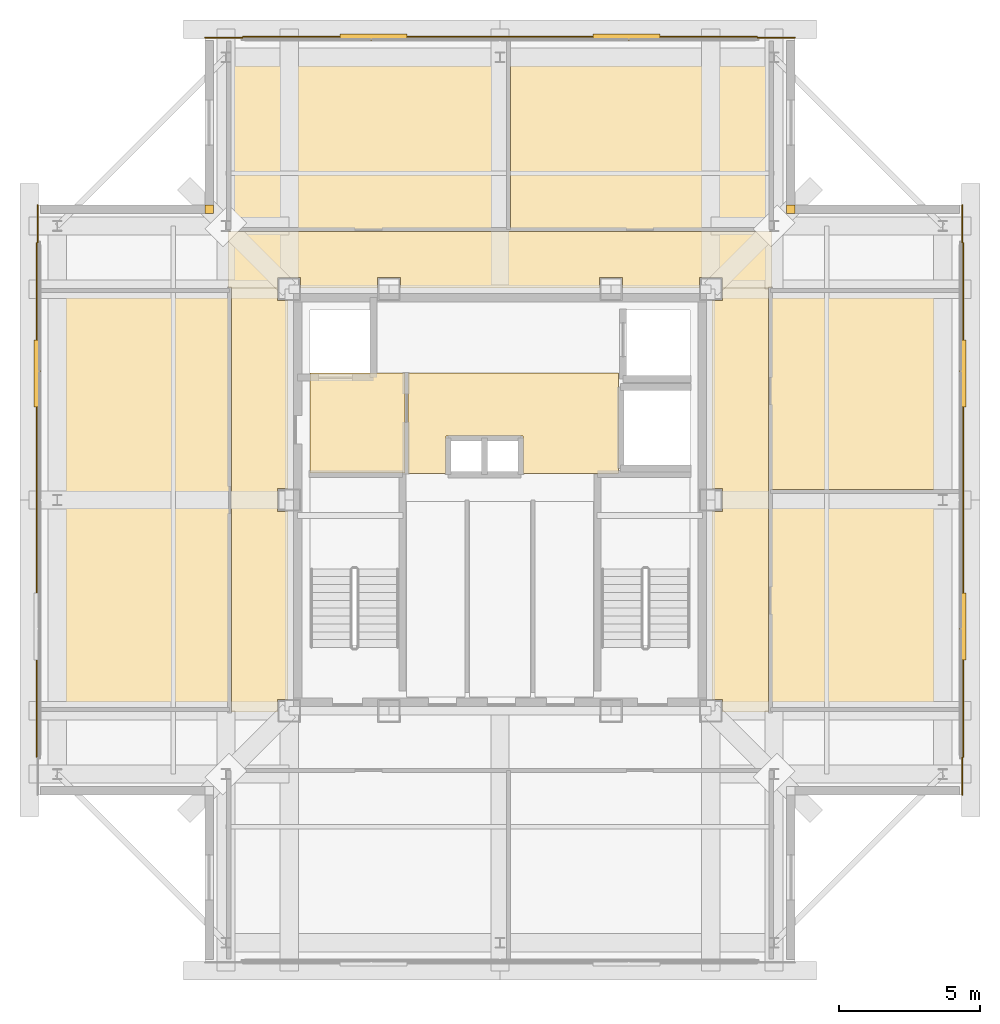
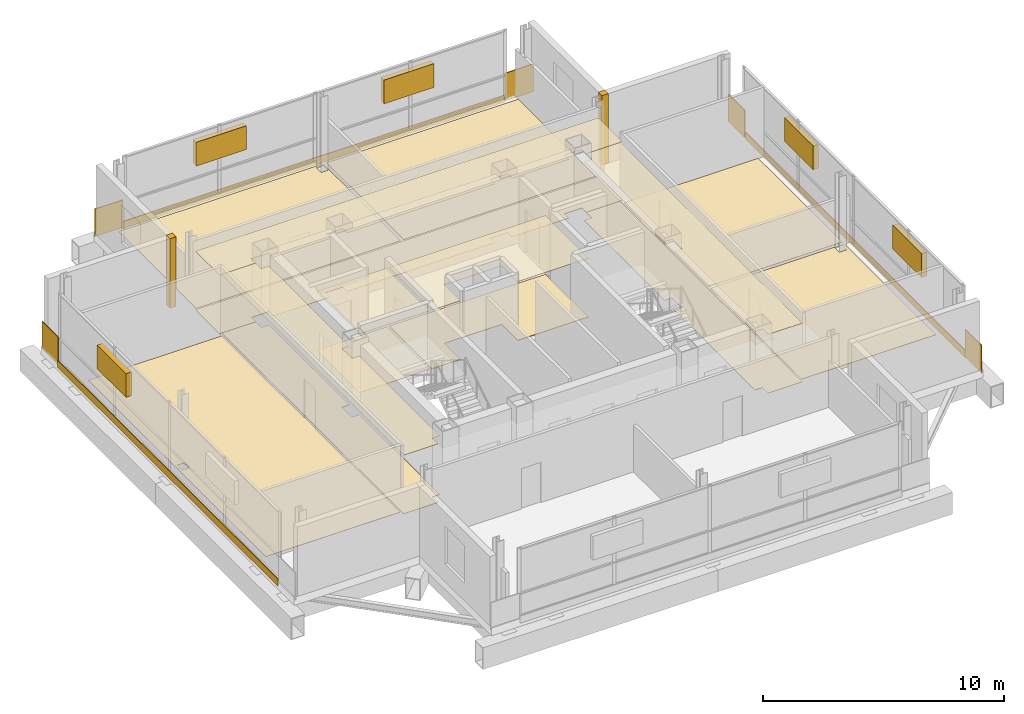
# One storey, part 12 of 12: 25 coverings, 5 shading devices.
"""IFC4 building model written with IfcOpenShell, lengths in metres."""

from ifc_helpers import new_model, si_unit, direction, frame, frame_2d, origin, origin_2d, place, context, subcontext, project, spatial, polyline, rectangle, outline, extrude, material, layer, layer_set, type_object, element, save


model = new_model("IFC4")

# Units and contexts
model_context = context("Model", 3, precision=1e-05, world=origin(), true_north=direction((0.0, 1.0)))
body_context = subcontext(model_context, "Body", "Model", "MODEL_VIEW")
ifc_project = project(units=[si_unit("LENGTHUNIT", "METRE"), si_unit("AREAUNIT", "SQUARE_METRE"), si_unit("VOLUMEUNIT", "CUBIC_METRE"), si_unit("PLANEANGLEUNIT", "RADIAN"), si_unit("MASSUNIT", "GRAM", prefix="KILO")], contexts=[model_context])

# Site, building, storey
site_placement = place(None, origin())
site = spatial("IfcSite", under=ifc_project, at=site_placement, CompositionType="ELEMENT")
building_placement = place(site_placement, origin())
building = spatial("IfcBuilding", under=site, at=building_placement, Name="Trevonay Congress Spire", CompositionType="ELEMENT")
storey_placement = place(building_placement, frame((0.0, 0.0, 308.39990234375)))
storey = spatial("IfcBuildingStorey", under=building, at=storey_placement, Name="L81", CompositionType="ELEMENT", Elevation=308.39990234375)

# Coverings
ifc_material_1 = material(Name="Acoustic Mineral Fibre Board", Category="gypsum")
ifc_layer_1 = layer(ifc_material_1, 0.02490234375, Name="Acoustic Mineral Fibre Board")
ifc_layer_set_1 = layer_set([ifc_layer_1], Name="Acoustic Mineral Fibre Board")
covering_type_1 = type_object("IfcCoveringType", Name="COV-CEIL-ACOUSTIC", PredefinedType="CEILING", material=ifc_layer_set_1)
covering_1_placement = place(storey_placement, frame((0.0, 0.0, 2.97021484375)))
element("IfcCovering", 1, at=covering_1_placement, inside=storey, type_object=covering_type_1, Name="L81 Firefighting Lift Lobby West acoustic suspended ceiling", PredefinedType="CEILING", context=body_context, shape_type="SweptSolid", body=[
    extrude(outline(polyline([(-6.75, 0.9599609375), (-3.3798828125, 0.9599609375), (-3.3798828125, 4.52001953125), (-6.75, 4.52001953125), (-6.75, 0.9599609375)])), origin(), (0.0, 0.0, 1.0), 0.02490234375),
])
covering_2_placement = place(storey_placement, frame((0.0, 0.0, 2.97021484375)))
element("IfcCovering", 2, at=covering_2_placement, inside=storey, type_object=covering_type_1, Name="L81 Central and High-Rise Passenger Lift Lobby acoustic suspended ceiling", PredefinedType="CEILING", context=body_context, shape_type="SweptSolid", body=[
    extrude(outline(polyline([(-3.280029296875, 0.949951171875), (-1.919921875, 0.949951171875), (-1.919921875, 2.280029296875), (0.820068359375, 2.280029296875), (0.820068359375, 0.949951171875), (4.219970703125, 0.949951171875), (4.219970703125, 4.52001953125), (-3.280029296875, 4.52001953125), (-3.280029296875, 0.949951171875)])), origin(), (0.0, 0.0, 1.0), 0.02490234375),
])
covering_3_placement = place(storey_placement, frame((0.0, 0.0, 2.97021484375)))
element("IfcCovering", 3, at=covering_3_placement, inside=storey, type_object=covering_type_1, Name="L81 Crown Gallery Corridor North acoustic suspended ceiling", PredefinedType="CEILING", context=body_context, shape_type="SweptSolid", body=[
    extrude(outline(polyline([(-9.64990234375, 7.550048828125), (-9.64990234375, 9.54345703125), (-9.570068359375, 9.54345703125), (-9.570068359375, 9.550048828125), (9.570068359375, 9.550048828125), (9.570068359375, 9.54345703125), (9.64990234375, 9.54345703125), (9.64990234375, 7.550048828125), (7.909912109375, 7.550048828125), (7.909912109375, 7.909912109375), (7.090087890625, 7.909912109375), (7.090087890625, 7.550048828125), (4.360107421875, 7.550048828125), (4.360107421875, 7.909912109375), (3.5400390625, 7.909912109375), (3.5400390625, 7.550048828125), (-3.5400390625, 7.550048828125), (-3.5400390625, 7.909912109375), (-4.360107421875, 7.909912109375), (-4.360107421875, 7.550048828125), (-7.090087890625, 7.550048828125), (-7.090087890625, 7.909912109375), (-7.909912109375, 7.909912109375), (-7.909912109375, 7.550048828125), (-9.64990234375, 7.550048828125)])), origin(), (0.0, 0.0, 1.0), 0.02490234375),
])
covering_4_placement = place(storey_placement, frame((0.0, 0.0, 2.97021484375)))
element("IfcCovering", 4, at=covering_4_placement, inside=storey, type_object=covering_type_1, Name="L81 Crown Gallery Corridor West acoustic suspended ceiling", PredefinedType="CEILING", context=body_context, shape_type="SweptSolid", body=[
    extrude(outline(polyline([(-9.550048828125, 7.550048828125), (-7.909912109375, 7.550048828125), (-7.909912109375, 7.090087890625), (-7.550048828125, 7.090087890625), (-7.550048828125, 0.409912109375), (-7.909912109375, 0.409912109375), (-7.909912109375, -0.409912109375), (-7.550048828125, -0.409912109375), (-7.550048828125, -7.090087890625), (-7.909912109375, -7.090087890625), (-7.909912109375, -7.550048828125), (-9.550048828125, -7.550048828125), (-9.550048828125, 7.550048828125)])), origin(), (0.0, 0.0, 1.0), 0.02490234375),
])
covering_5_placement = place(storey_placement, frame((0.0, 0.0, 2.97021484375)))
element("IfcCovering", 5, at=covering_5_placement, inside=storey, type_object=covering_type_1, Name="L81 Crown Gallery Corridor East acoustic suspended ceiling", PredefinedType="CEILING", context=body_context, shape_type="SweptSolid", body=[
    extrude(outline(polyline([(9.550048828125, -7.550048828125), (7.909912109375, -7.550048828125), (7.909912109375, -7.090087890625), (7.550048828125, -7.090087890625), (7.550048828125, -0.409912109375), (7.909912109375, -0.409912109375), (7.909912109375, 0.409912109375), (7.550048828125, 0.409912109375), (7.550048828125, 7.090087890625), (7.909912109375, 7.090087890625), (7.909912109375, 7.550048828125), (9.550048828125, 7.550048828125), (9.550048828125, -7.550048828125)])), origin(), (0.0, 0.0, 1.0), 0.02490234375),
])
ifc_material_2 = material(Name="Polished Granite Floor Tile", Category="masonry")
ifc_layer_2 = layer(ifc_material_2, 0.02001953125, Name="Polished Granite Floor Tile")
ifc_layer_set_2 = layer_set([ifc_layer_2], Name="Polished Granite Floor Tile")
covering_type_2 = type_object("IfcCoveringType", Name="COV-FLOOR-STONE", PredefinedType="FLOORING", material=ifc_layer_set_2)
covering_6_placement = place(storey_placement, origin())
element("IfcCovering", 6, at=covering_6_placement, inside=storey, type_object=covering_type_2, Name="L81 Firefighting Lift Lobby West floor finish", PredefinedType="FLOORING", context=body_context, shape_type="SweptSolid", body=[
    extrude(outline(polyline([(-6.75, 0.9599609375), (-3.3798828125, 0.9599609375), (-3.3798828125, 4.52001953125), (-6.75, 4.52001953125), (-6.75, 0.9599609375)])), origin(), (0.0, 0.0, 1.0), 0.02001953125),
])
covering_7_placement = place(storey_placement, origin())
element("IfcCovering", 7, at=covering_7_placement, inside=storey, type_object=covering_type_2, Name="L81 Central and High-Rise Passenger Lift Lobby floor finish", PredefinedType="FLOORING", context=body_context, shape_type="SweptSolid", body=[
    extrude(outline(polyline([(-3.280029296875, 0.949951171875), (-1.919921875, 0.949951171875), (-1.919921875, 2.280029296875), (0.820068359375, 2.280029296875), (0.820068359375, 0.949951171875), (4.219970703125, 0.949951171875), (4.219970703125, 4.52001953125), (-3.280029296875, 4.52001953125), (-3.280029296875, 0.949951171875)])), origin(), (0.0, 0.0, 1.0), 0.02001953125),
])
covering_8_placement = place(storey_placement, origin())
element("IfcCovering", 8, at=covering_8_placement, inside=storey, type_object=covering_type_2, Name="L81 Crown Gallery Corridor North floor finish", PredefinedType="FLOORING", context=body_context, shape_type="SweptSolid", body=[
    extrude(outline(polyline([(-9.64990234375, 7.550048828125), (-9.64990234375, 9.54345703125), (-9.570068359375, 9.54345703125), (-9.570068359375, 9.550048828125), (9.570068359375, 9.550048828125), (9.570068359375, 9.54345703125), (9.64990234375, 9.54345703125), (9.64990234375, 7.550048828125), (7.909912109375, 7.550048828125), (7.909912109375, 7.909912109375), (7.090087890625, 7.909912109375), (7.090087890625, 7.550048828125), (4.360107421875, 7.550048828125), (4.360107421875, 7.909912109375), (3.5400390625, 7.909912109375), (3.5400390625, 7.550048828125), (-3.5400390625, 7.550048828125), (-3.5400390625, 7.909912109375), (-4.360107421875, 7.909912109375), (-4.360107421875, 7.550048828125), (-7.090087890625, 7.550048828125), (-7.090087890625, 7.909912109375), (-7.909912109375, 7.909912109375), (-7.909912109375, 7.550048828125), (-9.64990234375, 7.550048828125)])), origin(), (0.0, 0.0, 1.0), 0.02001953125),
])
covering_9_placement = place(storey_placement, origin())
element("IfcCovering", 9, at=covering_9_placement, inside=storey, type_object=covering_type_2, Name="L81 Crown Gallery Corridor West floor finish", PredefinedType="FLOORING", context=body_context, shape_type="SweptSolid", body=[
    extrude(outline(polyline([(-9.550048828125, 7.550048828125), (-7.909912109375, 7.550048828125), (-7.909912109375, 7.090087890625), (-7.550048828125, 7.090087890625), (-7.550048828125, 0.409912109375), (-7.909912109375, 0.409912109375), (-7.909912109375, -0.409912109375), (-7.550048828125, -0.409912109375), (-7.550048828125, -7.090087890625), (-7.909912109375, -7.090087890625), (-7.909912109375, -7.550048828125), (-9.550048828125, -7.550048828125), (-9.550048828125, 7.550048828125)])), origin(), (0.0, 0.0, 1.0), 0.02001953125),
])
covering_10_placement = place(storey_placement, origin())
element("IfcCovering", 10, at=covering_10_placement, inside=storey, type_object=covering_type_2, Name="L81 Crown Gallery Corridor East floor finish", PredefinedType="FLOORING", context=body_context, shape_type="SweptSolid", body=[
    extrude(outline(polyline([(9.550048828125, -7.550048828125), (7.909912109375, -7.550048828125), (7.909912109375, -7.090087890625), (7.550048828125, -7.090087890625), (7.550048828125, -0.409912109375), (7.909912109375, -0.409912109375), (7.909912109375, 0.409912109375), (7.550048828125, 0.409912109375), (7.550048828125, 7.090087890625), (7.909912109375, 7.090087890625), (7.909912109375, 7.550048828125), (9.550048828125, 7.550048828125), (9.550048828125, -7.550048828125)])), origin(), (0.0, 0.0, 1.0), 0.02001953125),
])
covering_11_placement = place(storey_placement, origin())
element("IfcCovering", 11, at=covering_11_placement, inside=storey, type_object=covering_type_2, Name="L81 Upper AHU Heat-Recovery Plant floor finish", PredefinedType="FLOORING", context=body_context, shape_type="SweptSolid", body=[
    extrude(outline(polyline([(-9.570068359375, 16.050048828125), (0.219970703125, 16.050048828125), (0.219970703125, 9.6201171875), (-9.570068359375, 9.6201171875), (-9.570068359375, 9.95654296875), (-9.570068359375, 16.050048828125)]), holes=[polyline([(-0.1708984375, 15.553955078125), (0.1708984375, 15.553955078125), (0.1708984375, 15.946044921875), (-0.1708984375, 15.946044921875), (-0.1708984375, 15.553955078125)])]), origin(), (0.0, 0.0, 1.0), 0.02001953125),
])
covering_12_placement = place(storey_placement, origin())
element("IfcCovering", 12, at=covering_12_placement, inside=storey, type_object=covering_type_2, Name="L81 Smoke Extract Fan Plant floor finish", PredefinedType="FLOORING", context=body_context, shape_type="SweptSolid", body=[
    extrude(outline(polyline([(0.3798828125, 9.6201171875), (0.3798828125, 16.050048828125), (9.570068359375, 16.050048828125), (9.570068359375, 9.95654296875), (9.570068359375, 9.6201171875), (0.3798828125, 9.6201171875)])), origin(), (0.0, 0.0, 1.0), 0.02001953125),
])
covering_13_placement = place(storey_placement, origin())
element("IfcCovering", 13, at=covering_13_placement, inside=storey, type_object=covering_type_2, Name="L81 High-Zone Lift Machine Plant floor finish", PredefinedType="FLOORING", context=body_context, shape_type="SweptSolid", body=[
    extrude(outline(polyline([(-16.050048828125, 7.3701171875), (-9.6201171875, 7.3701171875), (-9.6201171875, -7.3701171875), (-16.050048828125, -7.3701171875), (-16.050048828125, 7.3701171875)]), holes=[polyline([(-15.5791015625, -0.196044921875), (-15.5791015625, 0.196044921875), (-15.9208984375, 0.196044921875), (-15.9208984375, -0.196044921875), (-15.5791015625, -0.196044921875)])]), origin(), (0.0, 0.0, 1.0), 0.02001953125),
])
covering_14_placement = place(storey_placement, origin())
element("IfcCovering", 14, at=covering_14_placement, inside=storey, type_object=covering_type_2, Name="L81 Crown BMS Switchboard Plant floor finish", PredefinedType="FLOORING", context=body_context, shape_type="SweptSolid", body=[
    extrude(outline(polyline([(9.6201171875, 0.219970703125), (16.050048828125, 0.219970703125), (16.050048828125, -7.3701171875), (9.6201171875, -7.3701171875), (9.6201171875, 0.219970703125)]), holes=[polyline([(15.9208984375, -0.196044921875), (15.9208984375, 0.196044921875), (15.5791015625, 0.196044921875), (15.5791015625, -0.196044921875), (15.9208984375, -0.196044921875)])]), origin(), (0.0, 0.0, 1.0), 0.02001953125),
])
covering_15_placement = place(storey_placement, origin())
element("IfcCovering", 15, at=covering_15_placement, inside=storey, type_object=covering_type_2, Name="L81 Pressurization Fan Plant floor finish", PredefinedType="FLOORING", context=body_context, shape_type="SweptSolid", body=[
    extrude(outline(polyline([(9.6201171875, 0.3798828125), (16.050048828125, 0.3798828125), (16.050048828125, 7.3701171875), (9.6201171875, 7.3701171875), (9.6201171875, 0.3798828125)])), origin(), (0.0, 0.0, 1.0), 0.02001953125),
])
ifc_material_3 = material(Name="Pale Anodised Aluminium EN AW-6063-T6", Category="aluminium")
ifc_layer_3 = layer(ifc_material_3, 0.0400390625, Name="Pale Anodised Aluminium EN AW-6063-T6")
ifc_layer_set_3 = layer_set([ifc_layer_3], Name="Pale Anodised Aluminium EN AW-6063-T6")
covering_type_3 = type_object("IfcCoveringType", Name="COV-SPANDREL-PALE-METAL", PredefinedType="CLADDING", material=ifc_layer_set_3)
for number, where, z_axis, x_axis, name in (
    (16, (-9.14990234375, 16.47998046875, -0.239990234375), (0.0, 0.0, 1.0), (1.0, 0.0, 0.0), "L81 N pale-metal slab-edge spandrel cladding"),
    (17, (-16.47998046875, -9.14990234375, -0.239990234375), (0.0, 0.0, 1.0), (0.0, 1.0, 0.0), "L81 W pale-metal slab-edge spandrel cladding"),
    (18, (16.47998046875, -9.14990234375, -0.239990234375), (0.0, 0.0, 1.0), (0.0, 1.0, 0.0), "L81 E pale-metal slab-edge spandrel cladding"),
):
    element("IfcCovering", number, at=place(storey_placement, frame(where, z_axis=z_axis, x_axis=x_axis)), inside=storey, type_object=covering_type_3, Name=name, PredefinedType="CLADDING", context=body_context, shape_type="SweptSolid", body=[
        extrude(rectangle(XDim=18.2998046875, YDim=0.0400390625, at=frame_2d((9.14990234375, 0.0))), origin(), (0.0, 0.0, 1.0), 0.360107421875),
    ])
covering_16_placement = place(storey_placement, frame((16.43994140625, -9.14990234375, -0.14990234375), z_axis=(0.0, 0.0, 1.0), x_axis=(0.0, -1.0, 0.0)))
element("IfcCovering", 19, at=covering_16_placement, inside=storey, type_object=covering_type_3, Name="L81 SE corner pier spandrel cladding 1", PredefinedType="CLADDING", context=body_context, shape_type="SweptSolid", body=[
    extrude(rectangle(XDim=1.35009765625, YDim=0.0400390625, at=frame_2d((0.675048828125, 0.0))), origin(), (0.0, 0.0, 1.0), 1.39990234375),
])
covering_17_placement = place(storey_placement, origin())
element("IfcCovering", 20, at=covering_17_placement, inside=storey, type_object=covering_type_3, Name="L81 NE re-entrant notch corner closure trim", PredefinedType="CLADDING", context=body_context, shape_type="SweptSolid", body=[
    extrude(outline(polyline([(10.199951171875, 10.199951171875), (10.5, 10.199951171875), (10.5, 10.5), (10.199951171875, 10.5), (10.199951171875, 10.199951171875)])), origin(), (0.0, 0.0, 1.0), 3.52001953125),
])
for number, where, z_axis, x_axis, name in (
    (21, (16.43994140625, 9.14990234375, -0.14990234375), (0.0, 0.0, 1.0), (0.0, 1.0, 0.0), "L81 NE corner pier spandrel cladding 1"),
    (22, (9.14990234375, 16.43994140625, -0.14990234375), (0.0, 0.0, 1.0), (1.0, 0.0, 0.0), "L81 NE corner pier spandrel cladding 2"),
):
    element("IfcCovering", number, at=place(storey_placement, frame(where, z_axis=z_axis, x_axis=x_axis)), inside=storey, type_object=covering_type_3, Name=name, PredefinedType="CLADDING", context=body_context, shape_type="SweptSolid", body=[
        extrude(rectangle(XDim=1.35009765625, YDim=0.0400390625, at=frame_2d((0.675048828125, 0.0))), origin(), (0.0, 0.0, 1.0), 1.39990234375),
    ])
covering_18_placement = place(storey_placement, origin())
element("IfcCovering", 23, at=covering_18_placement, inside=storey, type_object=covering_type_3, Name="L81 NW re-entrant notch corner closure trim", PredefinedType="CLADDING", context=body_context, shape_type="SweptSolid", body=[
    extrude(outline(polyline([(-10.5, 10.199951171875), (-10.199951171875, 10.199951171875), (-10.199951171875, 10.5), (-10.5, 10.5), (-10.5, 10.199951171875)])), origin(), (0.0, 0.0, 1.0), 3.52001953125),
])
for number, where, z_axis, x_axis, name in (
    (24, (-16.43994140625, 9.14990234375, -0.14990234375), (0.0, 0.0, 1.0), (0.0, 1.0, 0.0), "L81 NW corner pier spandrel cladding 1"),
    (25, (-9.14990234375, 16.43994140625, -0.14990234375), (0.0, 0.0, 1.0), (-1.0, 0.0, 0.0), "L81 NW corner pier spandrel cladding 2"),
):
    element("IfcCovering", number, at=place(storey_placement, frame(where, z_axis=z_axis, x_axis=x_axis)), inside=storey, type_object=covering_type_3, Name=name, PredefinedType="CLADDING", context=body_context, shape_type="SweptSolid", body=[
        extrude(rectangle(XDim=1.35009765625, YDim=0.0400390625, at=frame_2d((0.675048828125, 0.0))), origin(), (0.0, 0.0, 1.0), 1.39990234375),
    ])

# Shading devices
shading_device_type = type_object("IfcShadingDeviceType", Name="SHD-LOUVRE-PLANT-ALUM", PredefinedType="USERDEFINED", material=ifc_material_3)
for number, where, z_axis, x_axis, name in (
    (26, (-4.5, 16.4599609375, 1.80029296875), (0.0, 0.0, 1.0), (1.0, 0.0, 0.0), "L81 N crown plant intake louvre 1"),
    (27, (4.5, 16.4599609375, 1.80029296875), (0.0, 0.0, 1.0), (1.0, 0.0, 0.0), "L81 N crown plant intake louvre 2"),
    (28, (-16.4599609375, 4.5, 1.80029296875), (0.0, 0.0, 1.0), (0.0, 1.0, 0.0), "L81 W crown plant intake louvre 2"),
    (29, (16.4599609375, -4.5, 1.80029296875), (0.0, 0.0, 1.0), (0.0, 1.0, 0.0), "L81 E crown plant intake louvre 1"),
    (30, (16.4599609375, 4.5, 1.80029296875), (0.0, 0.0, 1.0), (0.0, 1.0, 0.0), "L81 E crown plant intake louvre 2"),
):
    element("IfcShadingDevice", number, at=place(storey_placement, frame(where, z_axis=z_axis, x_axis=x_axis)), inside=storey, type_object=shading_device_type, Name=name, ObjectType="LOUVRE", PredefinedType="USERDEFINED", context=body_context, shape_type="SweptSolid", body=[
        extrude(rectangle(XDim=2.39990234375, YDim=0.25, at=origin_2d()), origin(), (0.0, 0.0, 1.0), 1.199951171875),
    ])

save(model, "model.ifc")
